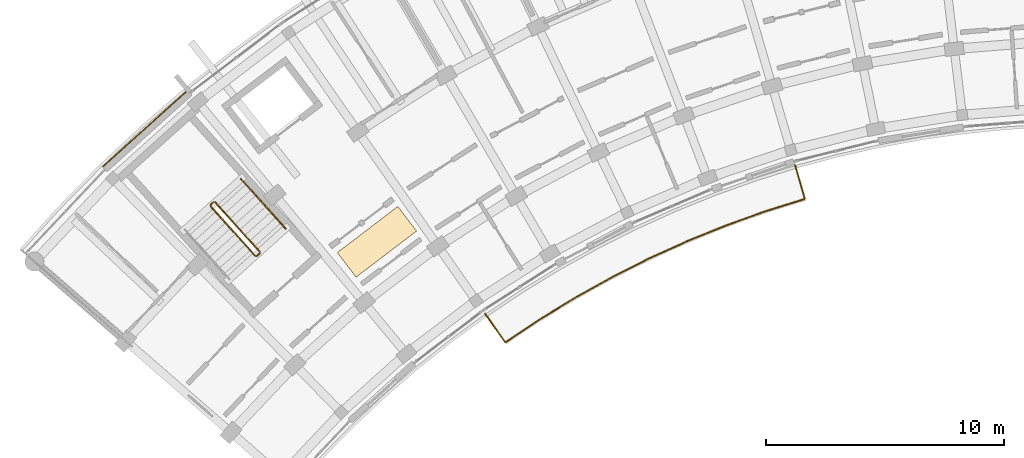
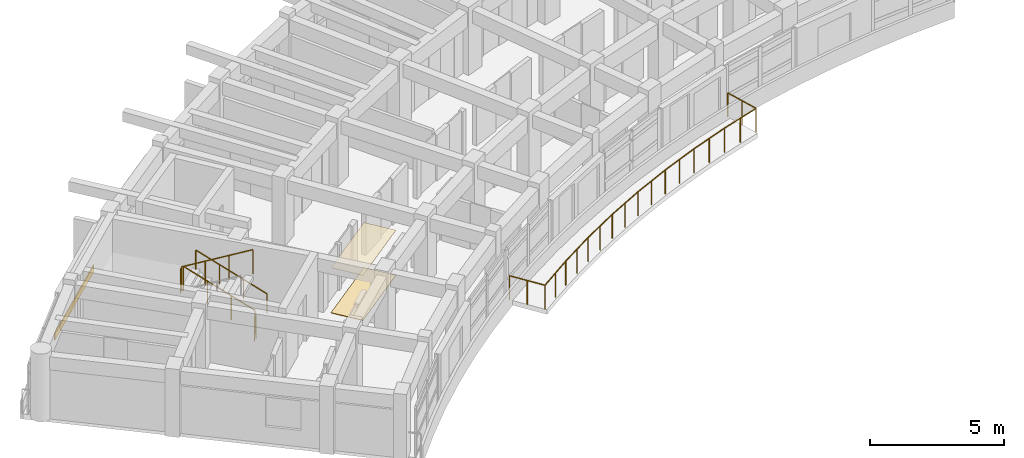
# One storey, part 42 of 56: 6 railings, 3 coverings.
"""IFC4 building model written with IfcOpenShell, lengths in metres."""

from ifc_helpers import new_model, si_unit, direction, frame, origin, origin_2d, place, context, subcontext, project, spatial, rectangle, circle, extrude, material, layer, layer_set, type_object, element, save


model = new_model("IFC4")

# Units and contexts
model_context = context("Model", 3, precision=1e-05, world=origin(), true_north=direction((0.0, 1.0)))
body_context = subcontext(model_context, "Body", "Model", "MODEL_VIEW")
ifc_project = project(units=[si_unit("LENGTHUNIT", "METRE"), si_unit("AREAUNIT", "SQUARE_METRE"), si_unit("VOLUMEUNIT", "CUBIC_METRE"), si_unit("PLANEANGLEUNIT", "RADIAN"), si_unit("MASSUNIT", "GRAM", prefix="KILO")], contexts=[model_context])

# Site, building, storey
site_placement = place(None, origin())
site = spatial("IfcSite", under=ifc_project, at=site_placement, CompositionType="ELEMENT")
building_placement = place(site_placement, origin())
building = spatial("IfcBuilding", under=site, at=building_placement, Name="Zimvara Arc Housing Community", CompositionType="ELEMENT")
storey_placement = place(building_placement, frame((0.0, 0.0, 17.39990234375)))
storey = spatial("IfcBuildingStorey", under=building, at=storey_placement, Name="L05", CompositionType="ELEMENT", Elevation=17.39990234375)

# Coverings
ifc_material_1 = material(Name="Pale-Gold Anodised Aluminium Cladding", Category="aluminium")
ifc_layer_1 = layer(ifc_material_1, 0.044921875)
ifc_layer_set_1 = layer_set([ifc_layer_1], Name="Pale-Gold Anodised Aluminium Cladding")
covering_type_1 = type_object("IfcCoveringType", Name="CLD-GOLD-02", PredefinedType="CLADDING", material=ifc_layer_set_1)
covering_1_placement = place(storey_placement, frame((5.215576171875, 88.716064453125, 0.01025390625), z_axis=(0.0, 0.0, 1.0), x_axis=(0.74337718344, 0.668872456557, 0.0)))
element("IfcCovering", 1, at=covering_1_placement, inside=storey, type_object=covering_type_1, Name="cld:blkA:L05:out:b1", PredefinedType="CLADDING", context=body_context, shape_type="SweptSolid", body=[
    extrude(rectangle(XDim=4.748779296875, YDim=0.044921875, at=origin_2d()), origin(), (0.0, 0.0, 1.0), 0.300048828125),
])
ifc_material_2 = material(Name="Perforated Acoustic Ceiling Board")
ifc_layer_2 = layer(ifc_material_2, 0.02197265625)
ifc_layer_set_2 = layer_set([ifc_layer_2], Name="Perforated Acoustic Ceiling Board")
covering_type_2 = type_object("IfcCoveringType", Name="COV-CEIL-02", PredefinedType="CEILING", material=ifc_layer_set_2)
covering_2_placement = place(storey_placement, frame((14.974853515625, 83.959228515625, 2.05810546875), z_axis=(0.0, 0.0, 1.0), x_axis=(-0.605988400266, 0.795473480855, 0.0)))
element("IfcCovering", 2, at=covering_2_placement, inside=storey, type_object=covering_type_2, Name="ceil:blkA:L05", PredefinedType="CEILING", context=body_context, shape_type="SweptSolid", body=[
    extrude(rectangle(XDim=1.300048828125, YDim=3.199951171875, at=origin_2d()), origin(), (0.0, 0.0, 1.0), 0.02197265625),
])
ifc_material_3 = material(Name="Polished Coastal Sand Terrazzo")
ifc_layer_3 = layer(ifc_material_3, 0.02392578125)
ifc_layer_set_3 = layer_set([ifc_layer_3], Name="Polished Coastal Sand Terrazzo")
covering_type_3 = type_object("IfcCoveringType", Name="COV-FLOR-02", PredefinedType="FLOORING", material=ifc_layer_set_3)
covering_3_placement = place(storey_placement, frame((14.974853515625, 83.959228515625, 0.000244140625), z_axis=(0.0, 0.0, 1.0), x_axis=(-0.605988400266, 0.795473480855, 0.0)))
element("IfcCovering", 3, at=covering_3_placement, inside=storey, type_object=covering_type_3, Name="flor:blkA:L05", PredefinedType="FLOORING", context=body_context, shape_type="SweptSolid", body=[
    extrude(rectangle(XDim=1.300048828125, YDim=3.199951171875, at=origin_2d()), origin(), (0.0, 0.0, 1.0), 0.02392578125),
])

# Railings
ifc_material_4 = material(Name="Anodised Aluminium AW-6063", Category="aluminium")
railing_type_1 = type_object("IfcRailingType", Name="RLG-BAL-1120", PredefinedType="BALUSTRADE", material=ifc_material_4)
railing_1_placement = place(storey_placement, frame((19.530029296875, 80.92919921875, 0.0)))
element("IfcRailing", 4, at=railing_1_placement, inside=storey, type_object=railing_type_1, Name="rlg:blkA:L05:bal_in_guard", PredefinedType="BALUSTRADE", context=body_context, shape_type="SweptSolid", body=[
    extrude(circle(Radius=0.02392578125, at=origin_2d()), frame((0.0, 0.0, 1.09619140625), z_axis=(0.572960666414, -0.819582866306, 0.0), x_axis=(0.819582866306, 0.572960666414, 0.0)), (0.0, 0.0, 1.0), 1.469970703125),
    extrude(circle(Radius=0.02392578125, at=origin_2d()), frame((0.84228515625, -1.204833984375, 1.09619140625), z_axis=(0.83110751259, 0.556111771604, 0.0), x_axis=(-0.556111771604, 0.83110751259, 0.0)), (0.0, 0.0, 1.0), 1.755126953125),
    extrude(circle(Radius=0.02392578125, at=origin_2d()), frame((2.301025390625, -0.228759765625, 1.09619140625), z_axis=(0.853092665747, 0.52175943082, 0.0), x_axis=(-0.52175943082, 0.853092665747, 0.0)), (0.0, 0.0, 1.0), 1.755126953125),
    extrude(circle(Radius=0.02392578125, at=origin_2d()), frame((3.79833984375, 0.68701171875, 1.09619140625), z_axis=(0.873651601958, 0.486552030513, 0.0), x_axis=(-0.486552030513, 0.873651601958, 0.0)), (0.0, 0.0, 1.0), 1.755126953125),
    extrude(circle(Radius=0.02392578125, at=origin_2d()), frame((5.331787109375, 1.541015625, 1.09619140625), z_axis=(0.892835912271, 0.450382097512, 0.0), x_axis=(-0.450382097512, 0.892835912271, 0.0)), (0.0, 0.0, 1.0), 1.755126953125),
    extrude(circle(Radius=0.02392578125, at=origin_2d()), frame((6.89892578125, 2.33154296875, 1.09619140625), z_axis=(0.91049504579, 0.413519977258, 0.0), x_axis=(-0.413519977258, 0.91049504579, 0.0)), (0.0, 0.0, 1.0), 1.755126953125),
    extrude(circle(Radius=0.02392578125, at=origin_2d()), frame((8.4970703125, 3.057373046875, 1.09619140625), z_axis=(0.926565071811, 0.376134507458, 0.0), x_axis=(-0.376134507458, 0.926565071811, 0.0)), (0.0, 0.0, 1.0), 1.755126953125),
    extrude(circle(Radius=0.02392578125, at=origin_2d()), frame((10.123291015625, 3.717529296875, 1.09619140625), z_axis=(0.941158376395, 0.33796584227, 0.0), x_axis=(-0.33796584227, 0.941158376395, 0.0)), (0.0, 0.0, 1.0), 1.75537109375),
    extrude(circle(Radius=0.02392578125, at=origin_2d()), frame((11.775390625, 4.310791015625, 1.09619140625), z_axis=(0.954192435663, 0.299193575672, 0.0), x_axis=(-0.299193575672, 0.954192435663, 0.0)), (0.0, 0.0, 1.0), 1.755126953125),
    extrude(circle(Radius=0.02392578125, at=origin_2d()), frame((13.4501953125, 4.8359375, 1.09619140625), z_axis=(-0.279719338513, 0.960081815087, 0.0), x_axis=(-0.960081815087, -0.279719338513, 0.0)), (0.0, 0.0, 1.0), 1.4697265625),
    extrude(circle(Radius=0.02099609375, at=origin_2d()), origin(), (0.0, 0.0, 1.0), 1.072021484375),
    extrude(circle(Radius=0.02099609375, at=origin_2d()), frame((0.421142578125, -0.6025390625, 0.0)), (0.0, 0.0, 1.0), 1.072021484375),
    extrude(circle(Radius=0.02099609375, at=origin_2d()), frame((0.84228515625, -1.204833984375, 0.0)), (0.0, 0.0, 1.0), 1.072021484375),
    extrude(circle(Radius=0.02099609375, at=origin_2d()), frame((1.57177734375, -0.716796875, 0.0)), (0.0, 0.0, 1.0), 1.072021484375),
    extrude(circle(Radius=0.02099609375, at=origin_2d()), frame((2.301025390625, -0.228759765625, 0.0)), (0.0, 0.0, 1.0), 1.072021484375),
    extrude(circle(Radius=0.02099609375, at=origin_2d()), frame((3.0498046875, 0.22900390625, 0.0)), (0.0, 0.0, 1.0), 1.072021484375),
    extrude(circle(Radius=0.02099609375, at=origin_2d()), frame((3.79833984375, 0.68701171875, 0.0)), (0.0, 0.0, 1.0), 1.072021484375),
    extrude(circle(Radius=0.02099609375, at=origin_2d()), frame((4.56494140625, 1.114013671875, 0.0)), (0.0, 0.0, 1.0), 1.072021484375),
    extrude(circle(Radius=0.02099609375, at=origin_2d()), frame((5.331787109375, 1.541015625, 0.0)), (0.0, 0.0, 1.0), 1.072021484375),
    extrude(circle(Radius=0.02099609375, at=origin_2d()), frame((6.115234375, 1.936279296875, 0.0)), (0.0, 0.0, 1.0), 1.072021484375),
    extrude(circle(Radius=0.02099609375, at=origin_2d()), frame((6.89892578125, 2.33154296875, 0.0)), (0.0, 0.0, 1.0), 1.072021484375),
    extrude(circle(Radius=0.02099609375, at=origin_2d()), frame((7.697998046875, 2.6943359375, 0.0)), (0.0, 0.0, 1.0), 1.072021484375),
    extrude(circle(Radius=0.02099609375, at=origin_2d()), frame((8.4970703125, 3.057373046875, 0.0)), (0.0, 0.0, 1.0), 1.072021484375),
    extrude(circle(Radius=0.02099609375, at=origin_2d()), frame((9.31005859375, 3.387451171875, 0.0)), (0.0, 0.0, 1.0), 1.072021484375),
    extrude(circle(Radius=0.02099609375, at=origin_2d()), frame((10.123291015625, 3.717529296875, 0.0)), (0.0, 0.0, 1.0), 1.072021484375),
    extrude(circle(Radius=0.02099609375, at=origin_2d()), frame((10.94921875, 4.01416015625, 0.0)), (0.0, 0.0, 1.0), 1.072021484375),
    extrude(circle(Radius=0.02099609375, at=origin_2d()), frame((11.775390625, 4.310791015625, 0.0)), (0.0, 0.0, 1.0), 1.072021484375),
    extrude(circle(Radius=0.02099609375, at=origin_2d()), frame((12.61279296875, 4.5732421875, 0.0)), (0.0, 0.0, 1.0), 1.072021484375),
    extrude(circle(Radius=0.02099609375, at=origin_2d()), frame((13.4501953125, 4.8359375, 0.0)), (0.0, 0.0, 1.0), 1.072021484375),
    extrude(circle(Radius=0.02099609375, at=origin_2d()), frame((13.24462890625, 5.54150390625, 0.0)), (0.0, 0.0, 1.0), 1.072021484375),
    extrude(circle(Radius=0.02099609375, at=origin_2d()), frame((13.0390625, 6.2470703125, 0.0)), (0.0, 0.0, 1.0), 1.072021484375),
])
railing_2_placement = place(storey_placement, frame((10.0478515625, 83.5400390625, 0.155029296875)))
element("IfcRailing", 5, at=railing_2_placement, inside=storey, type_object=railing_type_1, Name="L05 ST-A1 stair guard 1", PredefinedType="BALUSTRADE", context=body_context, shape_type="SweptSolid", body=[
    extrude(circle(Radius=0.02392578125, at=origin_2d()), frame((0.0, 0.0, 1.09619140625), z_axis=(-0.599018063854, 0.665748660595, 0.444922555162), x_axis=(-0.743380604779, -0.668868654101, 0.0)), (0.0, 0.0, 1.0), 3.135498046875),
    extrude(circle(Radius=0.02099609375, at=origin_2d()), origin(), (0.0, 0.0, 1.0), 1.072021484375),
    extrude(circle(Radius=0.02099609375, at=origin_2d()), frame((-0.6259765625, 0.69580078125, 0.465087890625)), (0.0, 0.0, 1.0), 1.072021484375),
    extrude(circle(Radius=0.02099609375, at=origin_2d()), frame((-1.252197265625, 1.3916015625, 0.929931640625)), (0.0, 0.0, 1.0), 1.072021484375),
    extrude(circle(Radius=0.02099609375, at=origin_2d()), frame((-1.878173828125, 2.08740234375, 1.39501953125)), (0.0, 0.0, 1.0), 1.072021484375),
])
railing_3_placement = place(storey_placement, frame((8.098876953125, 85.631103515625, 1.550048828125)))
element("IfcRailing", 6, at=railing_3_placement, inside=storey, type_object=railing_type_1, Name="L05 ST-A1 stair guard 2", PredefinedType="BALUSTRADE", context=body_context, shape_type="SweptSolid", body=[
    extrude(circle(Radius=0.02392578125, at=origin_2d()), frame((0.0, 0.0, 1.09619140625), z_axis=(-0.743521848755, -0.668711642207, 0.0), x_axis=(0.668711642207, -0.743521848755, 0.0)), (0.0, 0.0, 1.0), 0.159912109375),
    extrude(circle(Radius=0.02099609375, at=origin_2d()), origin(), (0.0, 0.0, 1.0), 1.072021484375),
    extrude(circle(Radius=0.02099609375, at=origin_2d()), frame((-0.118896484375, -0.10693359375, 0.0)), (0.0, 0.0, 1.0), 1.072021484375),
])
railing_4_placement = place(storey_placement, frame((7.976318359375, 85.453369140625, 1.705078125)))
element("IfcRailing", 7, at=railing_4_placement, inside=storey, type_object=railing_type_1, Name="L05 ST-A1 stair guard 3", PredefinedType="BALUSTRADE", context=body_context, shape_type="SweptSolid", body=[
    extrude(circle(Radius=0.02392578125, at=origin_2d()), frame((0.0, 0.0, 1.09619140625), z_axis=(0.599018063854, -0.665748660595, 0.444922555162), x_axis=(0.743380604779, 0.668868654101, 0.0)), (0.0, 0.0, 1.0), 3.135498046875),
    extrude(circle(Radius=0.02099609375, at=origin_2d()), origin(), (0.0, 0.0, 1.0), 1.072021484375),
    extrude(circle(Radius=0.02099609375, at=origin_2d()), frame((0.6259765625, -0.69580078125, 0.465087890625)), (0.0, 0.0, 1.0), 1.072021484375),
    extrude(circle(Radius=0.02099609375, at=origin_2d()), frame((1.252197265625, -1.3916015625, 0.929931640625)), (0.0, 0.0, 1.0), 1.072021484375),
    extrude(circle(Radius=0.02099609375, at=origin_2d()), frame((1.878173828125, -2.08740234375, 1.39501953125)), (0.0, 0.0, 1.0), 1.072021484375),
])
railing_5_placement = place(storey_placement, frame((10.0439453125, 83.469482421875, 0.0)))
element("IfcRailing", 8, at=railing_5_placement, inside=storey, type_object=railing_type_1, Name="L05 ST-A1 stair guard 4", PredefinedType="BALUSTRADE", context=body_context, shape_type="SweptSolid", body=[
    extrude(circle(Radius=0.02392578125, at=origin_2d()), frame((0.0, 0.0, 1.09619140625), z_axis=(-0.742763048172, -0.669554369913, 0.0), x_axis=(0.669554369913, -0.742763048172, 0.0)), (0.0, 0.0, 1.0), 0.16015625),
    extrude(circle(Radius=0.02099609375, at=origin_2d()), origin(), (0.0, 0.0, 1.0), 1.072021484375),
    extrude(circle(Radius=0.02099609375, at=origin_2d()), frame((-0.118896484375, -0.107177734375, 0.0)), (0.0, 0.0, 1.0), 1.072021484375),
])
ifc_material_5 = material(Name="Anodised Aluminium AW-6063", Category="aluminium")
railing_type_2 = type_object("IfcRailingType", Name="RLG-HND-900", PredefinedType="HANDRAIL", material=ifc_material_5)
railing_6_placement = place(storey_placement, frame((11.133056640625, 84.5166015625, 0.155029296875)))
element("IfcRailing", 9, at=railing_6_placement, inside=storey, type_object=railing_type_2, Name="L05 ST-A1 stair handrail 1", PredefinedType="HANDRAIL", context=body_context, shape_type="SweptSolid", body=[
    extrude(circle(Radius=0.02392578125, at=origin_2d()), frame((0.0, 0.0, 0.8759765625), z_axis=(-0.599018063854, 0.665748660595, 0.444922555162), x_axis=(-0.743380604779, -0.668868654101, 0.0)), (0.0, 0.0, 1.0), 3.135498046875),
    extrude(circle(Radius=0.02099609375, at=origin_2d()), origin(), (0.0, 0.0, 1.0), 0.851806640625),
    extrude(circle(Radius=0.02099609375, at=origin_2d()), frame((-0.6259765625, 0.69580078125, 0.465087890625)), (0.0, 0.0, 1.0), 0.851806640625),
    extrude(circle(Radius=0.02099609375, at=origin_2d()), frame((-1.252197265625, 1.3916015625, 0.929931640625)), (0.0, 0.0, 1.0), 0.851806640625),
    extrude(circle(Radius=0.02099609375, at=origin_2d()), frame((-1.878173828125, 2.08740234375, 1.39501953125)), (0.0, 0.0, 1.0), 0.851806640625),
])

save(model, "model.ifc")
